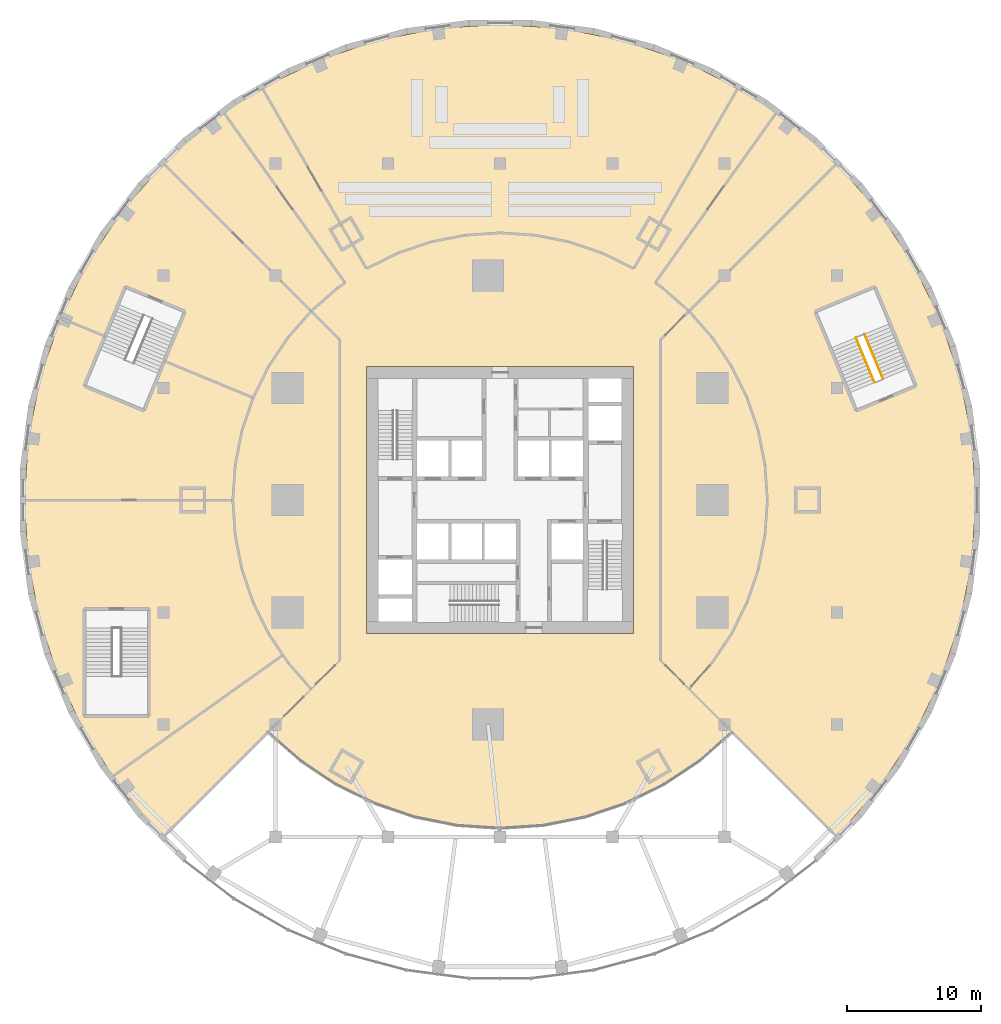
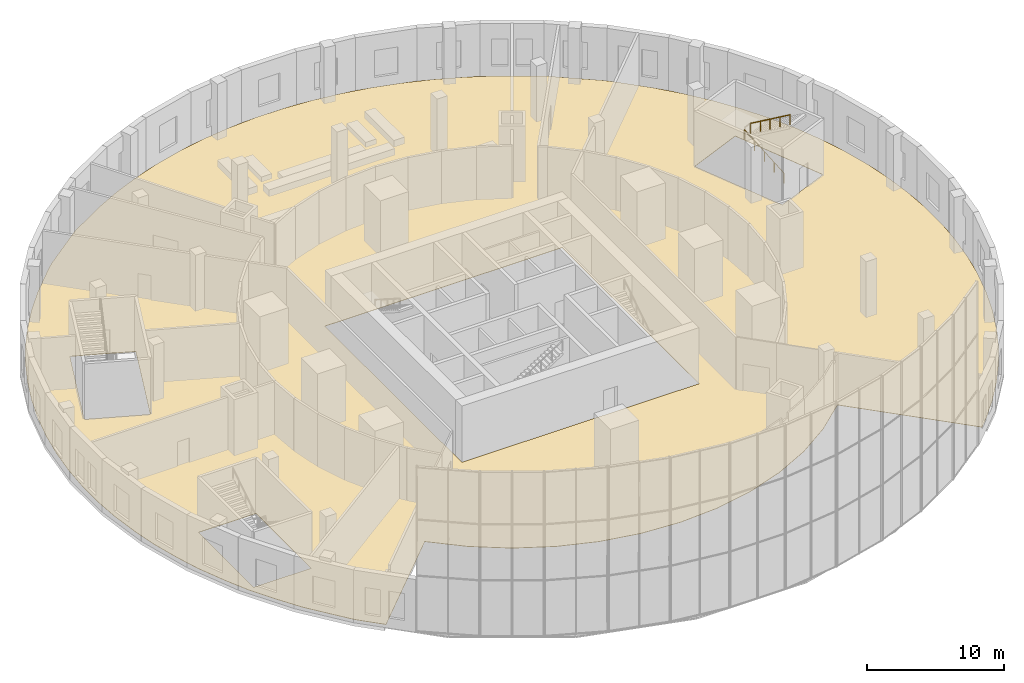
# One storey, part 15 of 17: 2 railings, 1 covering.
"""IFC4 building model written with IfcOpenShell, lengths in metres."""

from ifc_helpers import new_model, si_unit, direction, frame, origin, origin_2d, place, context, subcontext, project, spatial, polyline, circle, outline, extrude, material, layer, layer_set, type_object, element, save


model = new_model("IFC4")

# Units and contexts
model_context = context("Model", 3, precision=1e-05, world=origin(), true_north=direction((0.0, 1.0)))
body_context = subcontext(model_context, "Body", "Model", "MODEL_VIEW")
ifc_project = project(units=[si_unit("LENGTHUNIT", "METRE"), si_unit("AREAUNIT", "SQUARE_METRE"), si_unit("VOLUMEUNIT", "CUBIC_METRE"), si_unit("PLANEANGLEUNIT", "RADIAN"), si_unit("MASSUNIT", "GRAM", prefix="KILO")], contexts=[model_context])

# Site, building, storey
site_placement = place(None, origin())
site = spatial("IfcSite", under=ifc_project, at=site_placement, CompositionType="ELEMENT")
building_placement = place(site_placement, origin())
building = spatial("IfcBuilding", under=site, at=building_placement, Name="Golbaran Civic Tower", CompositionType="ELEMENT")
storey_placement = place(building_placement, frame((0.0, 0.0, 6.0)))
storey = spatial("IfcBuildingStorey", under=building, at=storey_placement, Name="L01", CompositionType="ELEMENT", Elevation=6.0)

# Railings
ifc_material_1 = material(Name="Stainless steel", Category="steel")
railing_type = type_object("IfcRailingType", Name="STAIR HANDRAIL 900", PredefinedType="HANDRAIL", material=ifc_material_1)
railing_1_placement = place(storey_placement, frame((28.0185546875, 8.79150390625, 0.178466796875)))
element("IfcRailing", 1, at=railing_1_placement, inside=storey, type_object=railing_type, Name="Stair P1 handrail flight 1 L01", PredefinedType="HANDRAIL", context=body_context, shape_type="SweptSolid", body=[
    extrude(circle(Radius=0.02392578125, at=origin_2d()), frame((0.0, 0.0, 0.8759765625), z_axis=(-0.322675525538, 0.778922658388, 0.537735992349), x_axis=(-0.923864772474, -0.382719064305, 0.0)), (0.0, 0.0, 1.0), 4.317138671875),
    extrude(circle(Radius=0.02099609375, at=origin_2d()), origin(), (0.0, 0.0, 1.0), 0.851806640625),
    extrude(circle(Radius=0.02099609375, at=origin_2d()), frame((-0.34814453125, 0.8408203125, 0.580322265625)), (0.0, 0.0, 1.0), 0.851806640625),
    extrude(circle(Radius=0.02099609375, at=origin_2d()), frame((-0.696533203125, 1.681396484375, 1.16064453125)), (0.0, 0.0, 1.0), 0.851806640625),
    extrude(circle(Radius=0.02099609375, at=origin_2d()), frame((-1.044921875, 2.52197265625, 1.7412109375)), (0.0, 0.0, 1.0), 0.851806640625),
    extrude(circle(Radius=0.02099609375, at=origin_2d()), frame((-1.39306640625, 3.36279296875, 2.321533203125)), (0.0, 0.0, 1.0), 0.851806640625),
])
railing_2_placement = place(storey_placement, frame((27.272216796875, 12.422119140625, 2.678466796875)))
element("IfcRailing", 2, at=railing_2_placement, inside=storey, type_object=railing_type, Name="Stair P1 handrail flight 2 L01", PredefinedType="HANDRAIL", context=body_context, shape_type="SweptSolid", body=[
    extrude(circle(Radius=0.02392578125, at=origin_2d()), frame((0.0, 0.0, 0.8759765625), z_axis=(0.322675525538, -0.778922658388, 0.537735992349), x_axis=(0.923864772474, 0.382719064305, 0.0)), (0.0, 0.0, 1.0), 4.317138671875),
    extrude(circle(Radius=0.02099609375, at=origin_2d()), origin(), (0.0, 0.0, 1.0), 0.851806640625),
    extrude(circle(Radius=0.02099609375, at=origin_2d()), frame((0.34814453125, -0.8408203125, 0.580322265625)), (0.0, 0.0, 1.0), 0.851806640625),
    extrude(circle(Radius=0.02099609375, at=origin_2d()), frame((0.696533203125, -1.681396484375, 1.16064453125)), (0.0, 0.0, 1.0), 0.851806640625),
    extrude(circle(Radius=0.02099609375, at=origin_2d()), frame((1.044921875, -2.52197265625, 1.7412109375)), (0.0, 0.0, 1.0), 0.851806640625),
    extrude(circle(Radius=0.02099609375, at=origin_2d()), frame((1.39306640625, -3.36279296875, 2.321533203125)), (0.0, 0.0, 1.0), 0.851806640625),
])

# Covering
ifc_material_2 = material(Name="Travertine tile on mortar bed", Category="masonry")
ifc_layer = layer(ifc_material_2, 0.030029296875, Name="Travertine tile on mortar bed")
ifc_layer_set = layer_set([ifc_layer], Name="Travertine tile on mortar bed")
covering_type = type_object("IfcCoveringType", Name="STONE FLOOR FINISH 30", PredefinedType="FLOORING", material=ifc_layer_set)
covering_placement = place(storey_placement, frame((0.0, 0.0, -0.030029296875)))
element("IfcCovering", 3, at=covering_placement, inside=storey, type_object=covering_type, Name="Stone floor finish L01", PredefinedType="FLOORING", context=body_context, shape_type="SweptSolid", body=[
    extrude(outline(polyline([(-34.050048828125, -10.177001953125), (-34.689453125, -7.790283203125), (-35.073486328125, -5.747802734375), (-35.394775390625, -3.308349609375), (-35.523681640625, -1.228515625), (-35.523681640625, 1.162841796875), (-35.37158203125, 3.48388671875), (-35.068115234375, 5.789794921875), (-34.6142578125, 8.071044921875), (-34.012451171875, 10.317626953125), (-33.2646484375, 12.52001953125), (-32.374755859375, 14.668701171875), (-31.345947265625, 16.7548828125), (-30.18310546875, 18.76904296875), (-28.890869140625, 20.702880859375), (-27.474853515625, 22.548095703125), (-25.94140625, 24.296875), (-23.819580078125, 26.418701171875), (-23.292236328125, 26.904052734375), (-19.90625, 29.502197265625), (-19.6640625, 29.666259765625), (-16.7548828125, 31.345947265625), (-14.668701171875, 32.374755859375), (-12.52001953125, 33.2646484375), (-10.317626953125, 34.012451171875), (-8.071044921875, 34.6142578125), (-5.789794921875, 35.068115234375), (-3.48388671875, 35.37158203125), (-1.162841796875, 35.523681640625), (1.162841796875, 35.523681640625), (3.48388671875, 35.37158203125), (5.789794921875, 35.068115234375), (8.071044921875, 34.6142578125), (10.317626953125, 34.012451171875), (12.52001953125, 33.2646484375), (14.668701171875, 32.374755859375), (16.7548828125, 31.345947265625), (19.6640625, 29.666259765625), (19.90625, 29.502197265625), (23.292236328125, 26.904052734375), (23.819580078125, 26.418701171875), (25.94140625, 24.296875), (27.474853515625, 22.548095703125), (28.890869140625, 20.702880859375), (30.18310546875, 18.76904296875), (31.345947265625, 16.7548828125), (32.374755859375, 14.668701171875), (33.2646484375, 12.52001953125), (34.012451171875, 10.317626953125), (34.6142578125, 8.071044921875), (35.068115234375, 5.789794921875), (35.37158203125, 3.48388671875), (35.523681640625, 1.162841796875), (35.523681640625, -1.162841796875), (35.37158203125, -3.48388671875), (35.068115234375, -5.789794921875), (34.6142578125, -8.071044921875), (34.012451171875, -10.317626953125), (33.2646484375, -12.52001953125), (32.374755859375, -14.668701171875), (31.345947265625, -16.7548828125), (30.18310546875, -18.76904296875), (28.890869140625, -20.702880859375), (27.474853515625, -22.548095703125), (25.94140625, -24.296875), (25.119140625, -25.119140625), (17.394775390625, -17.394775390625), (14.9755859375, -19.5166015625), (12.300048828125, -21.30419921875), (9.4140625, -22.7275390625), (6.366943359375, -23.76171875), (3.2109375, -24.3896484375), (0.0, -24.60009765625), (-3.2109375, -24.3896484375), (-6.366943359375, -23.76171875), (-9.4140625, -22.7275390625), (-12.300048828125, -21.30419921875), (-14.9755859375, -19.5166015625), (-17.394775390625, -17.394775390625), (-25.119140625, -25.119140625), (-26.418701171875, -23.819580078125), (-26.904052734375, -23.292236328125), (-29.281005859375, -20.194580078125), (-30.345947265625, -18.48681640625), (-31.607421875, -16.302001953125), (-32.467041015625, -14.44580078125), (-33.420166015625, -12.144775390625), (-34.050048828125, -10.177001953125)]), holes=[polyline([(26.646728515625, 6.680908203125), (31.12744140625, 8.536865234375), (28.046875, 15.97412109375), (23.566162109375, 14.117919921875), (26.646728515625, 6.680908203125)]), polyline([(10.0, 10.0), (-10.0, 10.0), (-10.0, -10.0), (10.0, -10.0), (10.0, 10.0)]), polyline([(-31.12744140625, 8.536865234375), (-26.646728515625, 6.680908203125), (-23.566162109375, 14.117919921875), (-28.046875, 15.97412109375), (-31.12744140625, 8.536865234375)]), polyline([(-31.125, -8.125), (-31.125, -16.175048828125), (-26.27490234375, -16.175048828125), (-26.27490234375, -8.125), (-31.125, -8.125)])]), origin(), (0.0, 0.0, 1.0), 0.030029296875),
])

save(model, "model.ifc")
